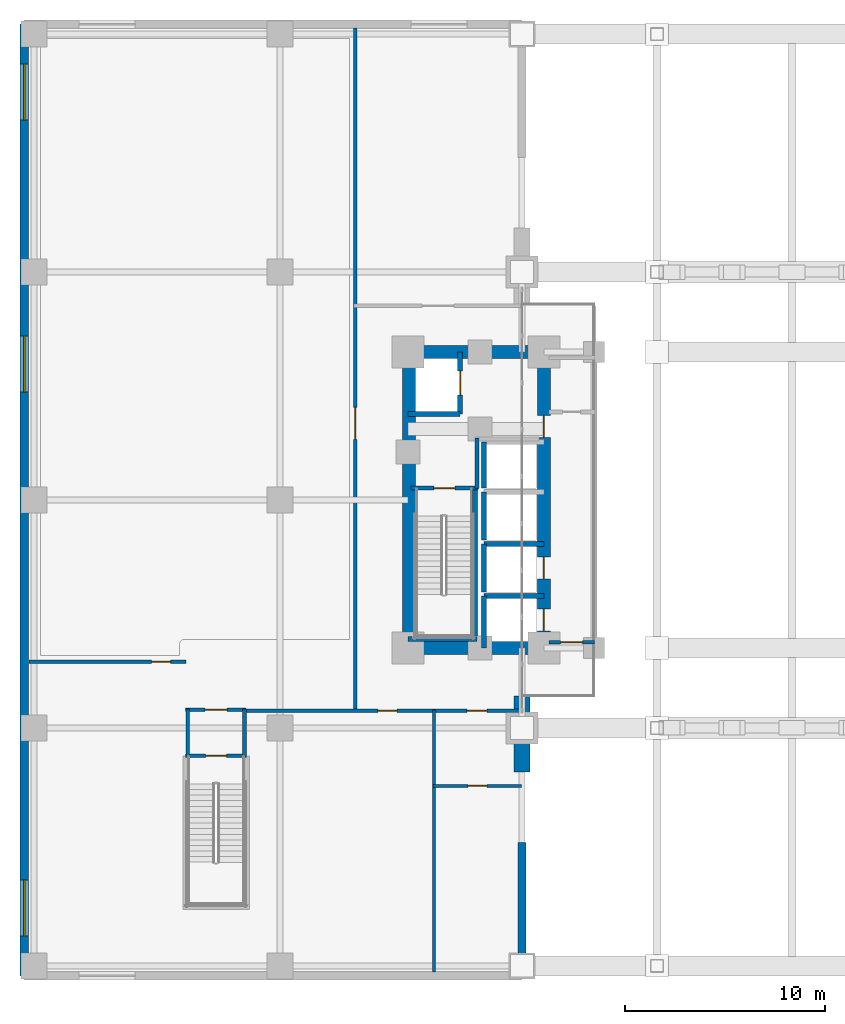
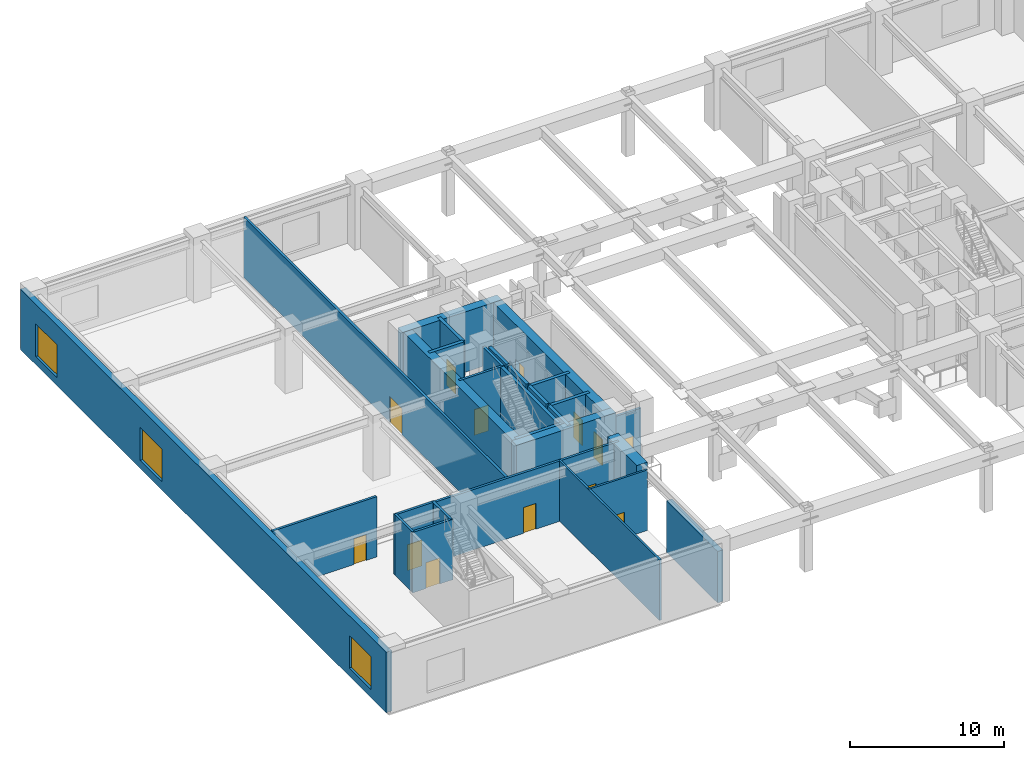
# One storey, part 18 of 26: 29 walls, 13 doors, 3 windows, 16 openings.
"""IFC4 building model written with IfcOpenShell, lengths in metres."""

from ifc_helpers import new_model, si_unit, direction, frame, frame_2d, origin, place, context, subcontext, project, spatial, rectangle, extrude, material, layer, layer_set, type_object, element, fill, save


model = new_model("IFC4")

# Units and contexts
model_context = context("Model", 3, precision=1e-05, world=origin(), true_north=direction((0.0, 1.0)))
body_context = subcontext(model_context, "Body", "Model", "MODEL_VIEW")
ifc_project = project(units=[si_unit("LENGTHUNIT", "METRE"), si_unit("AREAUNIT", "SQUARE_METRE"), si_unit("VOLUMEUNIT", "CUBIC_METRE"), si_unit("PLANEANGLEUNIT", "RADIAN"), si_unit("MASSUNIT", "GRAM", prefix="KILO")], contexts=[model_context])

# Site, building, storey
site_placement = place(None, origin())
site = spatial("IfcSite", under=ifc_project, at=site_placement, CompositionType="ELEMENT")
building_placement = place(site_placement, origin())
building = spatial("IfcBuilding", under=site, at=building_placement, Name="Voryun Gate Residences", CompositionType="ELEMENT")
storey_placement = place(building_placement, frame((0.0, 0.0, 15.60009765625)))
storey = spatial("IfcBuildingStorey", under=building, at=storey_placement, Name="L03", CompositionType="ELEMENT", Elevation=15.60009765625)

# Walls
ifc_material_1 = material(Name="Concrete C60/75", Category="concrete")
ifc_layer_1 = layer(ifc_material_1, 0.64990234375, Name="CW_CORE_650")
ifc_layer_set_1 = layer_set([ifc_layer_1], Name="Concrete C60/75")
wall_type_1 = type_object("IfcWallType", Name="CW_CORE_650", PredefinedType="SHEAR", material=ifc_layer_set_1)
for number, where, z_axis, x_axis, name in (
    (1, (-19.52490234375, -7.39990234375, 0.0), (0.0, 0.0, 1.0), (1.0, 0.0, 0.0), "L03 Core shear wall CW-L03-WS"),
    (2, (-19.52490234375, 7.39990234375, 0.0), (0.0, 0.0, 1.0), (1.0, 0.0, 0.0), "L03 Core shear wall CW-L03-WN"),
):
    element("IfcWall", number, at=place(storey_placement, frame(where, z_axis=z_axis, x_axis=x_axis)), inside=storey, type_object=wall_type_1, Name=name, PredefinedType="SHEAR", context=body_context, shape_type="SweptSolid", body=[
        extrude(rectangle(XDim=7.449951171875, YDim=0.64990234375, at=frame_2d((3.72509765625, 0.0))), origin(), (0.0, 0.0, 1.0), 4.7998046875),
    ])
wall_1_placement = place(storey_placement, frame((-19.14501953125, -7.39990234375, 0.0), z_axis=(0.0, 0.0, 1.0), x_axis=(0.0, 1.0, 0.0)))
element("IfcWall", 3, at=wall_1_placement, inside=storey, type_object=wall_type_1, Name="L03 Core shear wall CW-L03-WW", PredefinedType="SHEAR", context=body_context, shape_type="SweptSolid", body=[
    extrude(rectangle(XDim=14.7998046875, YDim=0.64990234375, at=frame_2d((7.39990234375, 0.0))), origin(), (0.0, 0.0, 1.0), 4.7998046875),
])

# Wall, openings, doors
wall_2_placement = place(storey_placement, frame((-12.39990234375, -7.39990234375, 0.0), z_axis=(0.0, 0.0, 1.0), x_axis=(0.0, 1.0, 0.0)))
wall_2 = element("IfcWall", 4, at=wall_2_placement, inside=storey, type_object=wall_type_1, Name="L03 Core shear wall CW-L03-WE", PredefinedType="SHEAR", context=body_context, shape_type="SweptSolid", body=[
    extrude(rectangle(XDim=14.7998046875, YDim=0.64990234375, at=frame_2d((7.39990234375, 0.0))), origin(), (0.0, 0.0, 1.0), 4.7998046875),
])
opening_1_placement = place(wall_2_placement, frame((0.85009765625, 0.0, 0.0)))
opening_1 = element("IfcOpeningElement", 5, at=opening_1_placement, cuts=wall_2, Name="Opening LD2", PredefinedType="OPENING", context=body_context, shape_type="SweptSolid", body=[
    extrude(rectangle(XDim=1.10009765625, YDim=2.050048828125, at=frame_2d((0.550048828125, 1.02490234375))), frame((0.0, 0.3349609375, 0.0), z_axis=(0.0, -1.0, 0.0), x_axis=(1.0, 0.0, 0.0)), (0.0, 0.0, 1.0), 0.669921875),
])
opening_2_placement = place(wall_2_placement, frame((3.449951171875, 0.0, 0.0)))
opening_2 = element("IfcOpeningElement", 6, at=opening_2_placement, cuts=wall_2, Name="Opening LD2", PredefinedType="OPENING", context=body_context, shape_type="SweptSolid", body=[
    extrude(rectangle(XDim=1.10009765625, YDim=2.050048828125, at=frame_2d((0.550048828125, 1.02490234375))), frame((0.0, 0.3349609375, 0.0), z_axis=(0.0, -1.0, 0.0), x_axis=(1.0, 0.0, 0.0)), (0.0, 0.0, 1.0), 0.669921875),
])
opening_3_placement = place(wall_2_placement, frame((10.530029296875, 0.0, 0.0)))
opening_3 = element("IfcOpeningElement", 7, at=opening_3_placement, cuts=wall_2, Name="Opening D-FD60-2", PredefinedType="OPENING", context=body_context, shape_type="SweptSolid", body=[
    extrude(rectangle(XDim=1.10009765625, YDim=2.050048828125, at=frame_2d((0.550048828125, 1.02490234375))), frame((0.0, 0.3349609375, 0.0), z_axis=(0.0, -1.0, 0.0), x_axis=(1.0, 0.0, 0.0)), (0.0, 0.0, 1.0), 0.669921875),
])
ifc_material_2 = material(Name="Painted steel fire door", Category="steel")
door_type_1 = type_object("IfcDoorType", Name="DR_FD60_FFLOB_1100", OperationType="NOTDEFINED", PredefinedType="DOOR", material=ifc_material_2)
door_1_placement = place(opening_3_placement, origin())
door_1 = element("IfcDoor", 8, at=door_1_placement, inside=storey, type_object=door_type_1, Name="Door DR-L03-CLOB-W", OperationType="SINGLE_SWING_LEFT", OverallHeight=2.050048828125, OverallWidth=1.10009765625, PredefinedType="DOOR", context=body_context, shape_type="SweptSolid", body=[
    extrude(rectangle(XDim=1.10009765625, YDim=2.050048828125, at=frame_2d((0.550048828125, 1.02490234375))), frame((0.0, 0.02490234375, 0.0), z_axis=(0.0, -1.0, 0.0), x_axis=(1.0, 0.0, 0.0)), (0.0, 0.0, 1.0), 0.050048828125),
])
fill(opening_3, door_1)
ifc_material_3 = material(Name="Anodised aluminium", Category="aluminium")
door_type_2 = type_object("IfcDoorType", Name="DR_LD_PASS_1100", OperationType="NOTDEFINED", PredefinedType="DOOR", material=ifc_material_3)
door_2_placement = place(opening_1_placement, origin())
door_2 = element("IfcDoor", 9, at=door_2_placement, inside=storey, type_object=door_type_2, Name="Lift EL-P1 sliding landing door L03", OperationType="SLIDING_TO_LEFT", OverallHeight=2.050048828125, OverallWidth=1.10009765625, PredefinedType="DOOR", context=body_context, shape_type="SweptSolid", body=[
    extrude(rectangle(XDim=1.10009765625, YDim=2.050048828125, at=frame_2d((0.550048828125, 1.02490234375))), frame((0.0, 0.02490234375, 0.0), z_axis=(0.0, -1.0, 0.0), x_axis=(1.0, 0.0, 0.0)), (0.0, 0.0, 1.0), 0.050048828125),
])
fill(opening_1, door_2)
door_3_placement = place(opening_2_placement, origin())
door_3 = element("IfcDoor", 10, at=door_3_placement, inside=storey, type_object=door_type_2, Name="Lift EL-P2 sliding landing door L03", OperationType="SLIDING_TO_LEFT", OverallHeight=2.050048828125, OverallWidth=1.10009765625, PredefinedType="DOOR", context=body_context, shape_type="SweptSolid", body=[
    extrude(rectangle(XDim=1.10009765625, YDim=2.050048828125, at=frame_2d((0.550048828125, 1.02490234375))), frame((0.0, 0.02490234375, 0.0), z_axis=(0.0, -1.0, 0.0), x_axis=(1.0, 0.0, 0.0)), (0.0, 0.0, 1.0), 0.050048828125),
])
fill(opening_2, door_3)

# Wall
ifc_material_4 = material(Name="Concrete C60/75", Category="concrete")
ifc_layer_2 = layer(ifc_material_4, 0.800048828125, Name="W_ARCH_PIER_800")
ifc_layer_set_2 = layer_set([ifc_layer_2], Name="Concrete C60/75")
wall_type_2 = type_object("IfcWallType", Name="W_ARCH_PIER_800", PredefinedType="SOLIDWALL", material=ifc_layer_set_2)
wall_3_placement = place(storey_placement, frame((-13.5, -13.60009765625, 0.0), z_axis=(0.0, 0.0, 1.0), x_axis=(0.0, 1.0, 0.0)))
element("IfcWall", 11, at=wall_3_placement, inside=storey, type_object=wall_type_2, Name="L03 Parabolic arch pier wall WS", PredefinedType="SOLIDWALL", context=body_context, shape_type="SweptSolid", body=[
    extrude(rectangle(XDim=3.800048828125, YDim=0.800048828125, at=frame_2d((1.89990234375, 0.0))), origin(), (0.0, 0.0, 1.0), 4.7998046875),
])

# Wall, opening, door
ifc_material_5 = material(Name="Gypsum acoustic fireboard")
ifc_layer_3 = layer(ifc_material_5, 0.179931640625, Name="W_CORR_RATED_180")
ifc_layer_set_3 = layer_set([ifc_layer_3], Name="Gypsum acoustic fireboard")
wall_type_3 = type_object("IfcWallType", Name="W_CORR_RATED_180", PredefinedType="PARTITIONING", material=ifc_layer_set_3)
wall_4_placement = place(storey_placement, frame((-19.06005859375, 0.60009765625, 0.0), z_axis=(0.0, 0.0, 1.0), x_axis=(1.0, 0.0, 0.0)))
wall_4 = element("IfcWall", 12, at=wall_4_placement, inside=storey, type_object=wall_type_3, Name="Partition wall WP-L03-STV-W", PredefinedType="PARTITIONING", context=body_context, shape_type="SweptSolid", body=[
    extrude(rectangle(XDim=3.360107421875, YDim=0.179931640625, at=frame_2d((1.68017578125, 0.0))), origin(), (0.0, 0.0, 1.0), 4.7998046875),
])
opening_4_placement = place(wall_4_placement, frame((1.155029296875, 0.0, 0.0)))
opening_4 = element("IfcOpeningElement", 13, at=opening_4_placement, cuts=wall_4, Name="Opening D-FD60-1", PredefinedType="OPENING", context=body_context, shape_type="SweptSolid", body=[
    extrude(rectangle(XDim=1.050048828125, YDim=2.050048828125, at=frame_2d((0.52490234375, 1.02490234375))), frame((0.0, 0.099853515625, 0.0), z_axis=(0.0, -1.0, 0.0), x_axis=(1.0, 0.0, 0.0)), (0.0, 0.0, 1.0), 0.199951171875),
])
ifc_material_6 = material(Name="Painted steel fire door", Category="steel")
door_type_3 = type_object("IfcDoorType", Name="DR_FD60_STAIR_1050", OperationType="NOTDEFINED", PredefinedType="DOOR", material=ifc_material_6)
door_4_placement = place(opening_4_placement, origin())
door_4 = element("IfcDoor", 14, at=door_4_placement, inside=storey, type_object=door_type_3, Name="Door DR-L03-ST-W", OperationType="SINGLE_SWING_LEFT", OverallHeight=2.050048828125, OverallWidth=1.050048828125, PredefinedType="DOOR", context=body_context, shape_type="SweptSolid", body=[
    extrude(rectangle(XDim=1.050048828125, YDim=2.050048828125, at=frame_2d((0.52490234375, 1.02490234375))), frame((0.0, 0.02490234375, 0.0), z_axis=(0.0, -1.0, 0.0), x_axis=(1.0, 0.0, 0.0)), (0.0, 0.0, 1.0), 0.050048828125),
])
fill(opening_4, door_4)

wall_5_placement = place(storey_placement, frame((-12.14990234375, -7.1201171875, 0.0), z_axis=(0.0, 0.0, 1.0), x_axis=(1.0, 0.0, 0.0)))
wall_5 = element("IfcWall", 15, at=wall_5_placement, inside=storey, type_object=wall_type_3, Name="Partition wall WP-L03-PLBS-W", PredefinedType="PARTITIONING", context=body_context, shape_type="SweptSolid", body=[
    extrude(rectangle(XDim=2.27001953125, YDim=0.179931640625, at=frame_2d((1.135009765625, 0.0))), origin(), (0.0, 0.0, 1.0), 4.08984375),
])
opening_5_placement = place(wall_5_placement, frame((0.5849609375, 0.0, 0.0)))
opening_5 = element("IfcOpeningElement", 16, at=opening_5_placement, cuts=wall_5, Name="Opening D-FD60-2", PredefinedType="OPENING", context=body_context, shape_type="SweptSolid", body=[
    extrude(rectangle(XDim=1.10009765625, YDim=2.050048828125, at=frame_2d((0.550048828125, 1.02490234375))), frame((0.0, 0.099853515625, 0.0), z_axis=(0.0, -1.0, 0.0), x_axis=(1.0, 0.0, 0.0)), (0.0, 0.0, 1.0), 0.199951171875),
])
door_5_placement = place(opening_5_placement, origin())
door_5 = element("IfcDoor", 17, at=door_5_placement, inside=storey, type_object=door_type_1, Name="Door DR-L03-PLBNW", OperationType="SINGLE_SWING_LEFT", OverallHeight=2.050048828125, OverallWidth=1.10009765625, PredefinedType="DOOR", context=body_context, shape_type="SweptSolid", body=[
    extrude(rectangle(XDim=1.10009765625, YDim=2.050048828125, at=frame_2d((0.550048828125, 1.02490234375))), frame((0.0, 0.02490234375, 0.0), z_axis=(0.0, -1.0, 0.0), x_axis=(1.0, 0.0, 0.0)), (0.0, 0.0, 1.0), 0.050048828125),
])
fill(opening_5, door_5)

# Walls
for number, where, z_axis, x_axis, name in (
    (18, (-30.219970703125, -12.800048828125, 0.0), (0.0, 0.0, 1.0), (0.0, 1.0, 0.0), "Partition wall WP-L03-ST-P1-VW"),
    (19, (-27.3798828125, -12.800048828125, 0.0), (0.0, 0.0, 1.0), (0.0, 1.0, 0.0), "Partition wall WP-L03-ST-P1-VE"),
):
    element("IfcWall", number, at=place(storey_placement, frame(where, z_axis=z_axis, x_axis=x_axis)), inside=storey, type_object=wall_type_3, Name=name, PredefinedType="PARTITIONING", context=body_context, shape_type="SweptSolid", body=[
        extrude(rectangle(XDim=2.35009765625, YDim=0.179931640625, at=frame_2d((1.175048828125, 0.0))), origin(), (0.0, 0.0, 1.0), 4.7998046875),
    ])

# Wall, opening, door
wall_6_placement = place(storey_placement, frame((-30.320068359375, -12.800048828125, 0.0), z_axis=(0.0, 0.0, 1.0), x_axis=(1.0, 0.0, 0.0)))
wall_6 = element("IfcWall", 20, at=wall_6_placement, inside=storey, type_object=wall_type_3, Name="Partition wall WP-L03-ST-P1-MID", PredefinedType="PARTITIONING", context=body_context, shape_type="SweptSolid", body=[
    extrude(rectangle(XDim=3.0400390625, YDim=0.179931640625, at=frame_2d((1.52001953125, 0.0))), origin(), (0.0, 0.0, 1.0), 4.7998046875),
])
opening_6_placement = place(wall_6_placement, frame((0.9951171875, 0.0, 0.0)))
opening_6 = element("IfcOpeningElement", 21, at=opening_6_placement, cuts=wall_6, Name="Opening D-FD60-1", PredefinedType="OPENING", context=body_context, shape_type="SweptSolid", body=[
    extrude(rectangle(XDim=1.050048828125, YDim=2.050048828125, at=frame_2d((0.52490234375, 1.02490234375))), frame((0.0, 0.099853515625, 0.0), z_axis=(0.0, -1.0, 0.0), x_axis=(1.0, 0.0, 0.0)), (0.0, 0.0, 1.0), 0.199951171875),
])
door_6_placement = place(opening_6_placement, origin())
door_6 = element("IfcDoor", 22, at=door_6_placement, inside=storey, type_object=door_type_3, Name="Door DR-L03-ST-P1-IN", OperationType="SINGLE_SWING_LEFT", OverallHeight=2.050048828125, OverallWidth=1.050048828125, PredefinedType="DOOR", context=body_context, shape_type="SweptSolid", body=[
    extrude(rectangle(XDim=1.050048828125, YDim=2.050048828125, at=frame_2d((0.52490234375, 1.02490234375))), frame((0.0, 0.02490234375, 0.0), z_axis=(0.0, -1.0, 0.0), x_axis=(1.0, 0.0, 0.0)), (0.0, 0.0, 1.0), 0.050048828125),
])
fill(opening_6, door_6)

wall_7_placement = place(storey_placement, frame((-30.320068359375, -10.5, 0.0), z_axis=(0.0, 0.0, 1.0), x_axis=(1.0, 0.0, 0.0)))
wall_7 = element("IfcWall", 23, at=wall_7_placement, inside=storey, type_object=wall_type_3, Name="Partition wall WP-L03-ST-P1-N", PredefinedType="PARTITIONING", context=body_context, shape_type="SweptSolid", body=[
    extrude(rectangle(XDim=3.02001953125, YDim=0.179931640625, at=frame_2d((1.510009765625, 0.0))), origin(), (0.0, 0.0, 1.0), 4.7998046875),
])
opening_7_placement = place(wall_7_placement, frame((0.969970703125, 0.0, 0.0)))
opening_7 = element("IfcOpeningElement", 24, at=opening_7_placement, cuts=wall_7, Name="Opening D-FD60-2", PredefinedType="OPENING", context=body_context, shape_type="SweptSolid", body=[
    extrude(rectangle(XDim=1.10009765625, YDim=2.050048828125, at=frame_2d((0.550048828125, 1.02490234375))), frame((0.0, 0.099853515625, 0.0), z_axis=(0.0, -1.0, 0.0), x_axis=(1.0, 0.0, 0.0)), (0.0, 0.0, 1.0), 0.199951171875),
])
door_7_placement = place(opening_7_placement, origin())
door_7 = element("IfcDoor", 25, at=door_7_placement, inside=storey, type_object=door_type_1, Name="Door DR-L03-ST-P1-OUT", OperationType="SINGLE_SWING_RIGHT", OverallHeight=2.050048828125, OverallWidth=1.10009765625, PredefinedType="DOOR", context=body_context, shape_type="SweptSolid", body=[
    extrude(rectangle(XDim=1.10009765625, YDim=2.050048828125, at=frame_2d((0.550048828125, 1.02490234375))), frame((0.0, 0.02490234375, 0.0), z_axis=(0.0, -1.0, 0.0), x_axis=(1.0, 0.0, 0.0)), (0.0, 0.0, 1.0), 0.050048828125),
])
fill(opening_7, door_7)

wall_8_placement = place(storey_placement, frame((-38.14990234375, -8.10009765625, 0.0), z_axis=(0.0, 0.0, 1.0), x_axis=(1.0, 0.0, 0.0)))
wall_8 = element("IfcWall", 26, at=wall_8_placement, inside=storey, type_object=wall_type_3, Name="Partition wall WP-L03-WCS1", PredefinedType="PARTITIONING", context=body_context, shape_type="SweptSolid", body=[
    extrude(rectangle(XDim=7.849853515625, YDim=0.179931640625, at=frame_2d((3.9248046875, 0.0))), origin(), (0.0, 0.0, 1.0), 4.7998046875),
])
opening_8_placement = place(wall_8_placement, frame((6.118896484375, 0.0, 0.0)))
opening_8 = element("IfcOpeningElement", 27, at=opening_8_placement, cuts=wall_8, Name="Opening D-INT-1", PredefinedType="OPENING", context=body_context, shape_type="SweptSolid", body=[
    extrude(rectangle(XDim=0.949951171875, YDim=2.050048828125, at=frame_2d((0.47509765625, 1.02490234375))), frame((0.0, 0.099853515625, 0.0), z_axis=(0.0, -1.0, 0.0), x_axis=(1.0, 0.0, 0.0)), (0.0, 0.0, 1.0), 0.199951171875),
])
ifc_material_7 = material(Name="Architectural oak veneer")
door_type_4 = type_object("IfcDoorType", Name="DR_INT_ROOM_950", OperationType="NOTDEFINED", PredefinedType="DOOR", material=ifc_material_7)
door_8_placement = place(opening_8_placement, origin())
door_8 = element("IfcDoor", 28, at=door_8_placement, inside=storey, type_object=door_type_4, Name="Door DR-L03-WD2", OperationType="SINGLE_SWING_LEFT", OverallHeight=2.050048828125, OverallWidth=0.949951171875, PredefinedType="DOOR", context=body_context, shape_type="SweptSolid", body=[
    extrude(rectangle(XDim=0.949951171875, YDim=2.050048828125, at=frame_2d((0.47509765625, 1.02490234375))), frame((0.0, 0.02490234375, 0.0), z_axis=(0.0, -1.0, 0.0), x_axis=(1.0, 0.0, 0.0)), (0.0, 0.0, 1.0), 0.050048828125),
])
fill(opening_8, door_8)

wall_9_placement = place(storey_placement, frame((-21.85009765625, -10.5, 0.0), z_axis=(0.0, 0.0, 1.0), x_axis=(0.0, 1.0, 0.0)))
wall_9 = element("IfcWall", 29, at=wall_9_placement, inside=storey, type_object=wall_type_3, Name="Partition wall WP-L03-WCW1", PredefinedType="PARTITIONING", context=body_context, shape_type="SweptSolid", body=[
    extrude(rectangle(XDim=34.1201171875, YDim=0.179931640625, at=frame_2d((17.06005859375, 0.0))), origin(), (0.0, 0.0, 1.0), 4.7998046875),
])
opening_9_placement = place(wall_9_placement, frame((13.530517578125, 0.0, 0.0)))
opening_9 = element("IfcOpeningElement", 30, at=opening_9_placement, cuts=wall_9, Name="Opening D-FD30-1", PredefinedType="OPENING", context=body_context, shape_type="SweptSolid", body=[
    extrude(rectangle(XDim=1.60009765625, YDim=2.050048828125, at=frame_2d((0.800048828125, 1.02490234375))), frame((0.0, 0.099853515625, 0.0), z_axis=(0.0, -1.0, 0.0), x_axis=(1.0, 0.0, 0.0)), (0.0, 0.0, 1.0), 0.199951171875),
])
ifc_material_8 = material(Name="Glazed aluminium fire door", Category="aluminium")
door_type_5 = type_object("IfcDoorType", Name="DR_CORR_SMOKE_1600", OperationType="NOTDEFINED", PredefinedType="DOOR", material=ifc_material_8)
door_9_placement = place(opening_9_placement, origin())
door_9 = element("IfcDoor", 31, at=door_9_placement, inside=storey, type_object=door_type_5, Name="Door DR-L03-WD1", OperationType="DOUBLE_DOOR_SINGLE_SWING", OverallHeight=2.050048828125, OverallWidth=1.60009765625, PredefinedType="DOOR", context=body_context, shape_type="SweptSolid", body=[
    extrude(rectangle(XDim=1.60009765625, YDim=2.050048828125, at=frame_2d((0.800048828125, 1.02490234375))), frame((0.0, 0.02490234375, 0.0), z_axis=(0.0, -1.0, 0.0), x_axis=(1.0, 0.0, 0.0)), (0.0, 0.0, 1.0), 0.050048828125),
])
fill(opening_9, door_9)

# Wall, openings, doors
wall_10_placement = place(storey_placement, frame((-27.47998046875, -10.550048828125, 0.0), z_axis=(0.0, 0.0, 1.0), x_axis=(1.0, 0.0, 0.0)))
wall_10 = element("IfcWall", 32, at=wall_10_placement, inside=storey, type_object=wall_type_3, Name="Partition wall WP-L03-WCS2", PredefinedType="PARTITIONING", context=body_context, shape_type="SweptSolid", body=[
    extrude(rectangle(XDim=13.9599609375, YDim=0.179931640625, at=frame_2d((6.97998046875, 0.0))), origin(), (0.0, 0.0, 1.0), 4.7998046875),
])
opening_10_placement = place(wall_10_placement, frame((6.774658203125, 0.0, 0.0)))
opening_10 = element("IfcOpeningElement", 33, at=opening_10_placement, cuts=wall_10, Name="Opening D-INT-1", PredefinedType="OPENING", context=body_context, shape_type="SweptSolid", body=[
    extrude(rectangle(XDim=0.949951171875, YDim=2.050048828125, at=frame_2d((0.47509765625, 1.02490234375))), frame((0.0, 0.099853515625, 0.0), z_axis=(0.0, -1.0, 0.0), x_axis=(1.0, 0.0, 0.0)), (0.0, 0.0, 1.0), 0.199951171875),
])
opening_11_placement = place(wall_10_placement, frame((11.22314453125, 0.0, 0.0)))
opening_11 = element("IfcOpeningElement", 34, at=opening_11_placement, cuts=wall_10, Name="Opening D-AWC-1", PredefinedType="OPENING", context=body_context, shape_type="SweptSolid", body=[
    extrude(rectangle(XDim=1.0, YDim=2.050048828125, at=frame_2d((0.5, 1.02490234375))), frame((0.0, 0.099853515625, 0.0), z_axis=(0.0, -1.0, 0.0), x_axis=(1.0, 0.0, 0.0)), (0.0, 0.0, 1.0), 0.199951171875),
])
ifc_material_9 = material(Name="Architectural oak veneer")
door_type_6 = type_object("IfcDoorType", Name="DR_ACC_WC_1000", OperationType="NOTDEFINED", PredefinedType="DOOR", material=ifc_material_9)
door_10_placement = place(opening_11_placement, origin())
door_10 = element("IfcDoor", 35, at=door_10_placement, inside=storey, type_object=door_type_6, Name="Door DR-L03-WDWC", OperationType="SINGLE_SWING_RIGHT", OverallHeight=2.050048828125, OverallWidth=1.0, PredefinedType="DOOR", context=body_context, shape_type="SweptSolid", body=[
    extrude(rectangle(XDim=1.0, YDim=2.050048828125, at=frame_2d((0.5, 1.02490234375))), frame((0.0, 0.02490234375, 0.0), z_axis=(0.0, -1.0, 0.0), x_axis=(1.0, 0.0, 0.0)), (0.0, 0.0, 1.0), 0.050048828125),
])
fill(opening_11, door_10)
door_11_placement = place(opening_10_placement, origin())
door_11 = element("IfcDoor", 36, at=door_11_placement, inside=storey, type_object=door_type_4, Name="Door DR-L03-WD2B", OperationType="SINGLE_SWING_LEFT", OverallHeight=2.050048828125, OverallWidth=0.949951171875, PredefinedType="DOOR", context=body_context, shape_type="SweptSolid", body=[
    extrude(rectangle(XDim=0.949951171875, YDim=2.050048828125, at=frame_2d((0.47509765625, 1.02490234375))), frame((0.0, 0.02490234375, 0.0), z_axis=(0.0, -1.0, 0.0), x_axis=(1.0, 0.0, 0.0)), (0.0, 0.0, 1.0), 0.050048828125),
])
fill(opening_10, door_11)

# Wall
ifc_material_10 = material(Name="Granite masonry", Category="masonry")
ifc_layer_4 = layer(ifc_material_10, 0.419921875, Name="W_EXT_PODIUM_420")
ifc_layer_set_4 = layer_set([ifc_layer_4], Name="Granite masonry")
wall_type_4 = type_object("IfcWallType", Name="W_EXT_PODIUM_420", PredefinedType="ELEMENTEDWALL", material=ifc_layer_set_4)
wall_11_placement = place(storey_placement, frame((-13.5, -23.800048828125, 0.0), z_axis=(0.0, 0.0, 1.0), x_axis=(0.0, 1.0, 0.0)))
element("IfcWall", 37, at=wall_11_placement, inside=storey, type_object=wall_type_4, Name="Exterior wall WEP-L03-WP-2A", PredefinedType="ELEMENTEDWALL", context=body_context, shape_type="SweptSolid", body=[
    extrude(rectangle(XDim=6.679931640625, YDim=0.419921875, at=frame_2d((3.33984375, 0.0))), origin(), (0.0, 0.0, 1.0), 4.08984375),
])

# Wall, openings, windows
wall_12_placement = place(storey_placement, frame((-38.39990234375, 23.800048828125, 0.0), z_axis=(0.0, 0.0, 1.0), x_axis=(0.0, -1.0, 0.0)))
wall_12 = element("IfcWall", 38, at=wall_12_placement, inside=storey, type_object=wall_type_4, Name="Exterior wall WEP-L03-WP-4", PredefinedType="ELEMENTEDWALL", context=body_context, shape_type="SweptSolid", body=[
    extrude(rectangle(XDim=47.60009765625, YDim=0.419921875, at=frame_2d((23.800048828125, 0.0))), origin(), (0.0, 0.0, 1.0), 4.7998046875),
])
opening_12_placement = place(wall_12_placement, frame((2.0, 0.0, 0.64990234375)))
opening_12 = element("IfcOpeningElement", 39, at=opening_12_placement, cuts=wall_12, Name="Opening WN5", PredefinedType="OPENING", context=body_context, shape_type="SweptSolid", body=[
    extrude(rectangle(XDim=2.800048828125, YDim=2.60009765625, at=frame_2d((1.39990234375, 1.300048828125))), frame((0.0, 0.219970703125, 0.0), z_axis=(0.0, -1.0, 0.0), x_axis=(1.0, 0.0, 0.0)), (0.0, 0.0, 1.0), 0.43994140625),
])
opening_13_placement = place(wall_12_placement, frame((15.60009765625, 0.0, 0.64990234375)))
opening_13 = element("IfcOpeningElement", 40, at=opening_13_placement, cuts=wall_12, Name="Opening WN5", PredefinedType="OPENING", context=body_context, shape_type="SweptSolid", body=[
    extrude(rectangle(XDim=2.800048828125, YDim=2.60009765625, at=frame_2d((1.39990234375, 1.300048828125))), frame((0.0, 0.219970703125, 0.0), z_axis=(0.0, -1.0, 0.0), x_axis=(1.0, 0.0, 0.0)), (0.0, 0.0, 1.0), 0.43994140625),
])
opening_14_placement = place(wall_12_placement, frame((42.800048828125, 0.0, 0.64990234375)))
opening_14 = element("IfcOpeningElement", 41, at=opening_14_placement, cuts=wall_12, Name="Opening WN5", PredefinedType="OPENING", context=body_context, shape_type="SweptSolid", body=[
    extrude(rectangle(XDim=2.800048828125, YDim=2.60009765625, at=frame_2d((1.39990234375, 1.300048828125))), frame((0.0, 0.219970703125, 0.0), z_axis=(0.0, -1.0, 0.0), x_axis=(1.0, 0.0, 0.0)), (0.0, 0.0, 1.0), 0.43994140625),
])
ifc_material_11 = material(Name="Laminated low-E glass", Category="glass")
window_type = type_object("IfcWindowType", Name="WN_POD_GALLERY_2800", PartitioningType="SINGLE_PANEL", PredefinedType="WINDOW", material=ifc_material_11)
window_1_placement = place(opening_12_placement, origin())
window_1 = element("IfcWindow", 42, at=window_1_placement, inside=storey, type_object=window_type, Name="Window WN-L03-WP-4-01", OverallHeight=2.60009765625, OverallWidth=2.800048828125, PartitioningType="SINGLE_PANEL", PredefinedType="WINDOW", context=body_context, shape_type="SweptSolid", body=[
    extrude(rectangle(XDim=2.800048828125, YDim=2.60009765625, at=frame_2d((1.39990234375, 1.300048828125))), frame((0.0, 0.030029296875, 0.0), z_axis=(0.0, -1.0, 0.0), x_axis=(1.0, 0.0, 0.0)), (0.0, 0.0, 1.0), 0.06005859375),
])
fill(opening_12, window_1)
window_2_placement = place(opening_13_placement, origin())
window_2 = element("IfcWindow", 43, at=window_2_placement, inside=storey, type_object=window_type, Name="Window WN-L03-WP-4-03", OverallHeight=2.60009765625, OverallWidth=2.800048828125, PartitioningType="SINGLE_PANEL", PredefinedType="WINDOW", context=body_context, shape_type="SweptSolid", body=[
    extrude(rectangle(XDim=2.800048828125, YDim=2.60009765625, at=frame_2d((1.39990234375, 1.300048828125))), frame((0.0, 0.030029296875, 0.0), z_axis=(0.0, -1.0, 0.0), x_axis=(1.0, 0.0, 0.0)), (0.0, 0.0, 1.0), 0.06005859375),
])
fill(opening_13, window_2)
window_3_placement = place(opening_14_placement, origin())
window_3 = element("IfcWindow", 44, at=window_3_placement, inside=storey, type_object=window_type, Name="Window WN-L03-WP-4-07", OverallHeight=2.60009765625, OverallWidth=2.800048828125, PartitioningType="SINGLE_PANEL", PredefinedType="WINDOW", context=body_context, shape_type="SweptSolid", body=[
    extrude(rectangle(XDim=2.800048828125, YDim=2.60009765625, at=frame_2d((1.39990234375, 1.300048828125))), frame((0.0, 0.030029296875, 0.0), z_axis=(0.0, -1.0, 0.0), x_axis=(1.0, 0.0, 0.0)), (0.0, 0.0, 1.0), 0.06005859375),
])
fill(opening_14, window_3)

# Walls
ifc_material_12 = material(Name="Concrete C40/50", Category="concrete")
ifc_layer_5 = layer(ifc_material_12, 0.199951171875, Name="W_FF_LOBBY_200")
ifc_layer_set_5 = layer_set([ifc_layer_5], Name="Concrete C40/50")
wall_type_5 = type_object("IfcWallType", Name="W_FF_LOBBY_200", PredefinedType="PARTITIONING", material=ifc_layer_set_5)
wall_13_placement = place(storey_placement, frame((-15.760009765625, 0.580078125, 0.0), z_axis=(0.0, 0.0, 1.0), x_axis=(0.0, 1.0, 0.0)))
element("IfcWall", 45, at=wall_13_placement, inside=storey, type_object=wall_type_5, Name="Partition wall WP-L03-FFP0-W", PredefinedType="PARTITIONING", context=body_context, shape_type="SweptSolid", body=[
    extrude(rectangle(XDim=2.52001953125, YDim=0.199951171875, at=frame_2d((1.260009765625, 0.0))), origin(), (0.0, 0.0, 1.0), 4.7998046875),
])
ifc_material_13 = material(Name="Concrete C50/60", Category="concrete")
ifc_layer_6 = layer(ifc_material_13, 0.25, Name="W_SHAFT_RC250")
ifc_layer_set_6 = layer_set([ifc_layer_6], Name="Concrete C50/60")
wall_type_6 = type_object("IfcWallType", Name="W_SHAFT_RC250", PredefinedType="SOLIDWALL", material=ifc_layer_set_6)
wall_14_placement = place(storey_placement, frame((-15.860107421875, -7.0849609375, 0.0), z_axis=(0.0, 0.0, 1.0), x_axis=(0.0, 1.0, 0.0)))
element("IfcWall", 46, at=wall_14_placement, inside=storey, type_object=wall_type_6, Name="L03 Stair shaft structural wall W-STR", PredefinedType="SOLIDWALL", context=body_context, shape_type="SweptSolid", body=[
    extrude(rectangle(XDim=7.68505859375, YDim=0.25, at=frame_2d((3.842529296875, 0.0))), origin(), (0.0, 0.0, 1.0), 4.7998046875),
])
wall_15_placement = place(storey_placement, frame((-19.199951171875, -6.965087890625, 0.0), z_axis=(0.0, 0.0, 1.0), x_axis=(1.0, 0.0, 0.0)))
element("IfcWall", 47, at=wall_15_placement, inside=storey, type_object=wall_type_6, Name="L03 Stair shaft structural wall W-STS", PredefinedType="SOLIDWALL", context=body_context, shape_type="SweptSolid", body=[
    extrude(rectangle(XDim=3.4599609375, YDim=0.25, at=frame_2d((1.72998046875, 0.0))), origin(), (0.0, 0.0, 1.0), 4.7998046875),
])
wall_16_placement = place(storey_placement, frame((-19.199951171875, 4.300048828125, 0.0), z_axis=(0.0, 0.0, 1.0), x_axis=(1.0, 0.0, 0.0)))
element("IfcWall", 48, at=wall_16_placement, inside=storey, type_object=wall_type_6, Name="Lift shaft wall WSH-L03-EL-FF-W1-S", PredefinedType="SOLIDWALL", context=body_context, shape_type="SweptSolid", body=[
    extrude(rectangle(XDim=2.599853515625, YDim=0.25, at=frame_2d((1.2998046875, 0.0))), origin(), (0.0, 0.0, 1.0), 4.7998046875),
])

# Wall, opening, door
wall_17_placement = place(storey_placement, frame((-16.60009765625, 4.300048828125, 0.0), z_axis=(0.0, 0.0, 1.0), x_axis=(0.0, 1.0, 0.0)))
wall_17 = element("IfcWall", 49, at=wall_17_placement, inside=storey, type_object=wall_type_6, Name="Lift shaft wall WSH-L03-EL-FF-W1-E", PredefinedType="SOLIDWALL", context=body_context, shape_type="SweptSolid", body=[
    extrude(rectangle(XDim=3.099853515625, YDim=0.25, at=frame_2d((1.5498046875, 0.0))), origin(), (0.0, 0.0, 1.0), 4.7998046875),
])
opening_15_placement = place(wall_17_placement, frame((0.949951171875, 0.0, 0.0)))
opening_15 = element("IfcOpeningElement", 50, at=opening_15_placement, cuts=wall_17, Name="Opening LD1", PredefinedType="OPENING", context=body_context, shape_type="SweptSolid", body=[
    extrude(rectangle(XDim=1.199951171875, YDim=2.050048828125, at=frame_2d((0.60009765625, 1.02490234375))), frame((0.0, 0.135009765625, 0.0), z_axis=(0.0, -1.0, 0.0), x_axis=(1.0, 0.0, 0.0)), (0.0, 0.0, 1.0), 0.27001953125),
])
ifc_material_14 = material(Name="Anodised aluminium", Category="aluminium")
door_type_7 = type_object("IfcDoorType", Name="DR_LD_FF_1200", OperationType="NOTDEFINED", PredefinedType="DOOR", material=ifc_material_14)
door_12_placement = place(opening_15_placement, origin())
door_12 = element("IfcDoor", 51, at=door_12_placement, inside=storey, type_object=door_type_7, Name="Lift EL-FF-W1 sliding landing door L03", OperationType="SLIDING_TO_LEFT", OverallHeight=2.050048828125, OverallWidth=1.199951171875, PredefinedType="DOOR", context=body_context, shape_type="SweptSolid", body=[
    extrude(rectangle(XDim=1.199951171875, YDim=2.050048828125, at=frame_2d((0.60009765625, 1.02490234375))), frame((0.0, 0.02490234375, 0.0), z_axis=(0.0, -1.0, 0.0), x_axis=(1.0, 0.0, 0.0)), (0.0, 0.0, 1.0), 0.050048828125),
])
fill(opening_15, door_12)

# Walls
wall_18_placement = place(storey_placement, frame((-12.39990234375, -4.800048828125, 0.0), z_axis=(0.0, 0.0, 1.0), x_axis=(-1.0, 0.0, 0.0)))
element("IfcWall", 52, at=wall_18_placement, inside=storey, type_object=wall_type_6, Name="Lift shaft wall WSH-L03-EL-P1-N", PredefinedType="SOLIDWALL", context=body_context, shape_type="SweptSolid", body=[
    extrude(rectangle(XDim=3.0, YDim=0.25, at=frame_2d((1.5, 0.0))), origin(), (0.0, 0.0, 1.0), 4.7998046875),
])
wall_19_placement = place(storey_placement, frame((-15.39990234375, -4.800048828125, 0.0), z_axis=(0.0, 0.0, 1.0), x_axis=(0.0, -1.0, 0.0)))
element("IfcWall", 53, at=wall_19_placement, inside=storey, type_object=wall_type_6, Name="Lift shaft wall WSH-L03-EL-P1-W", PredefinedType="SOLIDWALL", context=body_context, shape_type="SweptSolid", body=[
    extrude(rectangle(XDim=2.599853515625, YDim=0.25, at=frame_2d((1.2998046875, 0.0))), origin(), (0.0, 0.0, 1.0), 4.7998046875),
])
wall_20_placement = place(storey_placement, frame((-12.39990234375, -2.199951171875, 0.0), z_axis=(0.0, 0.0, 1.0), x_axis=(-1.0, 0.0, 0.0)))
element("IfcWall", 54, at=wall_20_placement, inside=storey, type_object=wall_type_6, Name="Lift shaft wall WSH-L03-EL-P2-N", PredefinedType="SOLIDWALL", context=body_context, shape_type="SweptSolid", body=[
    extrude(rectangle(XDim=3.0, YDim=0.25, at=frame_2d((1.5, 0.0))), origin(), (0.0, 0.0, 1.0), 4.7998046875),
])
wall_21_placement = place(storey_placement, frame((-15.39990234375, -2.199951171875, 0.0), z_axis=(0.0, 0.0, 1.0), x_axis=(0.0, -1.0, 0.0)))
element("IfcWall", 55, at=wall_21_placement, inside=storey, type_object=wall_type_6, Name="Lift shaft wall WSH-L03-EL-P2-W", PredefinedType="SOLIDWALL", context=body_context, shape_type="SweptSolid", body=[
    extrude(rectangle(XDim=2.400146484375, YDim=0.25, at=frame_2d((1.2001953125, 0.0))), origin(), (0.0, 0.0, 1.0), 4.7998046875),
])
wall_22_placement = place(storey_placement, frame((-15.39990234375, 0.39990234375, 0.0), z_axis=(0.0, 0.0, 1.0), x_axis=(0.0, -1.0, 0.0)))
element("IfcWall", 56, at=wall_22_placement, inside=storey, type_object=wall_type_6, Name="Lift shaft wall WSH-L03-EL-P4-W", PredefinedType="SOLIDWALL", context=body_context, shape_type="SweptSolid", body=[
    extrude(rectangle(XDim=2.39990234375, YDim=0.25, at=frame_2d((1.199951171875, 0.0))), origin(), (0.0, 0.0, 1.0), 4.7998046875),
])
wall_23_placement = place(storey_placement, frame((-15.39990234375, 2.89990234375, 0.0), z_axis=(0.0, 0.0, 1.0), x_axis=(0.0, -1.0, 0.0)))
element("IfcWall", 57, at=wall_23_placement, inside=storey, type_object=wall_type_6, Name="Lift shaft wall WSH-L03-EL-P7-W", PredefinedType="SOLIDWALL", context=body_context, shape_type="SweptSolid", body=[
    extrude(rectangle(XDim=2.2998046875, YDim=0.25, at=frame_2d((1.14990234375, 0.0))), origin(), (0.0, 0.0, 1.0), 4.7998046875),
])
ifc_material_15 = material(Name="Gypsum moisture-resistant partition")
ifc_layer_7 = layer(ifc_material_15, 0.14990234375, Name="W_WET_PLUMB_150")
ifc_layer_set_7 = layer_set([ifc_layer_7], Name="Gypsum moisture-resistant partition")
wall_type_7 = type_object("IfcWallType", Name="W_WET_PLUMB_150", PredefinedType="PLUMBINGWALL", material=ifc_layer_set_7)
wall_24_placement = place(storey_placement, frame((-17.89990234375, -23.6201171875, 0.0), z_axis=(0.0, 0.0, 1.0), x_axis=(0.0, 1.0, 0.0)))
element("IfcWall", 58, at=wall_24_placement, inside=storey, type_object=wall_type_7, Name="Partition wall WP-L03-WWCD1", PredefinedType="PLUMBINGWALL", context=body_context, shape_type="SweptSolid", body=[
    extrude(rectangle(XDim=13.1201171875, YDim=0.14990234375, at=frame_2d((6.56005859375, 0.0))), origin(), (0.0, 0.0, 1.0), 4.7998046875),
])

# Wall, opening, door
wall_25_placement = place(storey_placement, frame((-17.949951171875, -14.300048828125, 0.0), z_axis=(0.0, 0.0, 1.0), x_axis=(1.0, 0.0, 0.0)))
wall_25 = element("IfcWall", 59, at=wall_25_placement, inside=storey, type_object=wall_type_7, Name="Partition wall WP-L03-WWCD2", PredefinedType="PLUMBINGWALL", context=body_context, shape_type="SweptSolid", body=[
    extrude(rectangle(XDim=4.429931640625, YDim=0.14990234375, at=frame_2d((2.21484375, 0.0))), origin(), (0.0, 0.0, 1.0), 4.7998046875),
])
opening_16_placement = place(wall_25_placement, frame((1.739990234375, 0.0, 0.0)))
opening_16 = element("IfcOpeningElement", 60, at=opening_16_placement, cuts=wall_25, Name="Opening D-INT-1", PredefinedType="OPENING", context=body_context, shape_type="SweptSolid", body=[
    extrude(rectangle(XDim=0.949951171875, YDim=2.050048828125, at=frame_2d((0.47509765625, 1.02490234375))), frame((0.0, 0.0849609375, 0.0), z_axis=(0.0, -1.0, 0.0), x_axis=(1.0, 0.0, 0.0)), (0.0, 0.0, 1.0), 0.169921875),
])
door_13_placement = place(opening_16_placement, origin())
door_13 = element("IfcDoor", 61, at=door_13_placement, inside=storey, type_object=door_type_4, Name="Door DR-L03-WSTR", OperationType="SINGLE_SWING_LEFT", OverallHeight=2.050048828125, OverallWidth=0.949951171875, PredefinedType="DOOR", context=body_context, shape_type="SweptSolid", body=[
    extrude(rectangle(XDim=0.949951171875, YDim=2.050048828125, at=frame_2d((0.47509765625, 1.02490234375))), frame((0.0, 0.02490234375, 0.0), z_axis=(0.0, -1.0, 0.0), x_axis=(1.0, 0.0, 0.0)), (0.0, 0.0, 1.0), 0.050048828125),
])
fill(opening_16, door_13)

save(model, "model.ifc")
